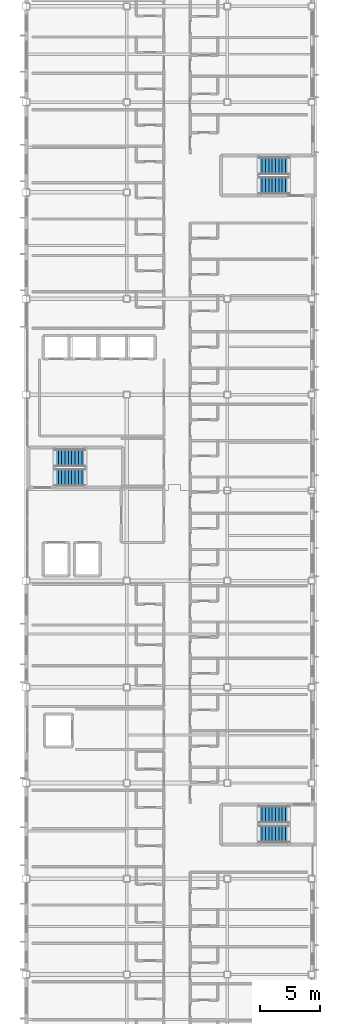
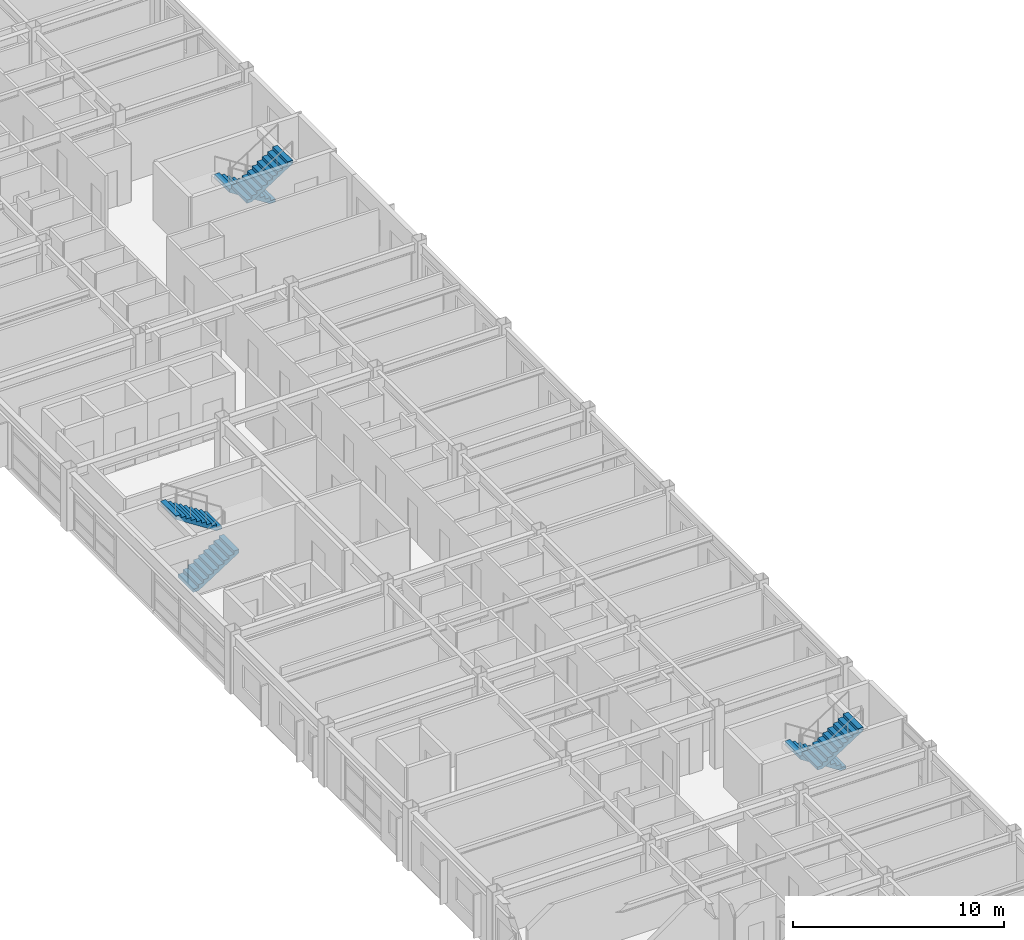
# One storey, part 34 of 38: 6 stair flights, 3 elements without a shape of their own.
"""IFC4 building model written with IfcOpenShell, lengths in metres."""

from ifc_helpers import new_model, si_unit, direction, frame, origin, place, context, subcontext, project, spatial, polyline, outline, extrude, material, type_object, element, aggregate, save


model = new_model("IFC4")

# Units and contexts
model_context = context("Model", 3, precision=1e-05, world=origin(), true_north=direction((0.0, 1.0)))
body_context = subcontext(model_context, "Body", "Model", "MODEL_VIEW")
ifc_project = project(units=[si_unit("LENGTHUNIT", "METRE"), si_unit("AREAUNIT", "SQUARE_METRE"), si_unit("VOLUMEUNIT", "CUBIC_METRE"), si_unit("PLANEANGLEUNIT", "RADIAN"), si_unit("MASSUNIT", "GRAM", prefix="KILO")], contexts=[model_context])

# Site, building, storey
site_placement = place(None, origin())
site = spatial("IfcSite", under=ifc_project, at=site_placement, CompositionType="ELEMENT")
building_placement = place(site_placement, origin())
building = spatial("IfcBuilding", under=site, at=building_placement, Name="Kazehara Bluff Congress Hotel", CompositionType="ELEMENT")
storey_placement = place(building_placement, frame((0.0, 0.0, 24.60009765625)))
storey = spatial("IfcBuildingStorey", under=building, at=storey_placement, Name="L05", CompositionType="ELEMENT", Elevation=24.60009765625)

# Stair, stair flights
ifc_material_1 = material(Name="Concrete C36/45", Category="concrete")
stair_type = type_object("IfcStairType", Name="TP-ST-T03", PredefinedType="HALF_TURN_STAIR", material=ifc_material_1)
stair_1_placement = place(storey_placement, origin())
stair_1 = element("IfcStair", 1, at=stair_1_placement, inside=storey, type_object=stair_type, Name="L05 Escape stair ST-10", PredefinedType="HALF_TURN_STAIR")
ifc_material_2 = material(Name="Concrete C36/45", Category="concrete")
stair_flight_type = type_object("IfcStairFlightType", Name="TP-SF-T03", PredefinedType="STRAIGHT", material=ifc_material_2)
stair_flight_1_placement = place(storey_placement, frame((165.64990234375, 21.375, 0.0), z_axis=(0.0, 0.0, 1.0), x_axis=(-1.0, 0.0, 0.0)))
stair_flight_1 = element("IfcStairFlight", 2, at=stair_flight_1_placement, type_object=stair_flight_type, Name="ST-10 flight 1", NumberOfRisers=10, NumberOfTreads=9, PredefinedType="STRAIGHT", RiserHeight=0.18, TreadLength=0.28, context=body_context, shape_type="SweptSolid", body=[
    extrude(outline(polyline([(0.0, 0.0), (0.0, 0.179931640625), (0.280029296875, 0.179931640625), (0.280029296875, 0.360107421875), (0.56005859375, 0.360107421875), (0.56005859375, 0.5400390625), (0.840087890625, 0.5400390625), (0.840087890625, 0.719970703125), (1.1201171875, 0.719970703125), (1.1201171875, 0.89990234375), (1.39990234375, 0.89990234375), (1.39990234375, 1.080078125), (1.679931640625, 1.080078125), (1.679931640625, 1.260009765625), (1.9599609375, 1.260009765625), (1.9599609375, 1.43994140625), (2.239990234375, 1.43994140625), (2.239990234375, 1.6201171875), (2.52001953125, 1.6201171875), (2.52001953125, 1.800048828125), (2.52001953125, 1.429931640625), (0.295654296875, 0.0), (0.0, 0.0)])), frame((0.0, 0.72509765625, 0.0), z_axis=(0.0, -1.0, 0.0), x_axis=(1.0, 0.0, 0.0)), (0.0, 0.0, 1.0), 1.449951171875),
])
stair_flight_2_placement = place(storey_placement, frame((163.1298828125, 19.72509765625, 1.7998046875), z_axis=(0.0, 0.0, 1.0), x_axis=(1.0, 0.0, 0.0)))
stair_flight_2 = element("IfcStairFlight", 3, at=stair_flight_2_placement, type_object=stair_flight_type, Name="ST-10 flight 2", NumberOfRisers=10, NumberOfTreads=9, PredefinedType="STRAIGHT", RiserHeight=0.18, TreadLength=0.28, context=body_context, shape_type="SweptSolid", body=[
    extrude(outline(polyline([(0.0, 0.0), (0.0, 0.179931640625), (0.280029296875, 0.179931640625), (0.280029296875, 0.360107421875), (0.56005859375, 0.360107421875), (0.56005859375, 0.5400390625), (0.840087890625, 0.5400390625), (0.840087890625, 0.719970703125), (1.1201171875, 0.719970703125), (1.1201171875, 0.89990234375), (1.39990234375, 0.89990234375), (1.39990234375, 1.080078125), (1.679931640625, 1.080078125), (1.679931640625, 1.260009765625), (1.9599609375, 1.260009765625), (1.9599609375, 1.43994140625), (2.239990234375, 1.43994140625), (2.239990234375, 1.6201171875), (2.52001953125, 1.6201171875), (2.52001953125, 1.800048828125), (2.52001953125, 1.429931640625), (0.295654296875, 0.0), (0.0, 0.0)])), frame((0.0, 0.72509765625, 0.0), z_axis=(0.0, -1.0, 0.0), x_axis=(1.0, 0.0, 0.0)), (0.0, 0.0, 1.0), 1.449951171875),
])
aggregate(stair_1, [stair_flight_1, stair_flight_2])

stair_2_placement = place(storey_placement, origin())
stair_2 = element("IfcStair", 4, at=stair_2_placement, inside=storey, type_object=stair_type, Name="L05 Escape stair ST-11", PredefinedType="HALF_TURN_STAIR")
stair_flight_3_placement = place(storey_placement, frame((146.10009765625, 49.52490234375, 0.0), z_axis=(0.0, 0.0, 1.0), x_axis=(1.0, 0.0, 0.0)))
stair_flight_3 = element("IfcStairFlight", 5, at=stair_flight_3_placement, type_object=stair_flight_type, Name="ST-11 flight 1", NumberOfRisers=10, NumberOfTreads=9, PredefinedType="STRAIGHT", RiserHeight=0.18, TreadLength=0.28, context=body_context, shape_type="SweptSolid", body=[
    extrude(outline(polyline([(0.0, 0.0), (0.0, 0.179931640625), (0.280029296875, 0.179931640625), (0.280029296875, 0.360107421875), (0.56005859375, 0.360107421875), (0.56005859375, 0.5400390625), (0.840087890625, 0.5400390625), (0.840087890625, 0.719970703125), (1.1201171875, 0.719970703125), (1.1201171875, 0.89990234375), (1.39990234375, 0.89990234375), (1.39990234375, 1.080078125), (1.679931640625, 1.080078125), (1.679931640625, 1.260009765625), (1.9599609375, 1.260009765625), (1.9599609375, 1.43994140625), (2.239990234375, 1.43994140625), (2.239990234375, 1.6201171875), (2.52001953125, 1.6201171875), (2.52001953125, 1.800048828125), (2.52001953125, 1.429931640625), (0.295654296875, 0.0), (0.0, 0.0)])), frame((0.0, 0.72509765625, 0.0), z_axis=(0.0, -1.0, 0.0), x_axis=(1.0, 0.0, 0.0)), (0.0, 0.0, 1.0), 1.449951171875),
])
stair_flight_4_placement = place(storey_placement, frame((148.6201171875, 51.175048828125, 1.7998046875), z_axis=(0.0, 0.0, 1.0), x_axis=(-1.0, 0.0, 0.0)))
stair_flight_4 = element("IfcStairFlight", 6, at=stair_flight_4_placement, type_object=stair_flight_type, Name="ST-11 flight 2", NumberOfRisers=10, NumberOfTreads=9, PredefinedType="STRAIGHT", RiserHeight=0.18, TreadLength=0.28, context=body_context, shape_type="SweptSolid", body=[
    extrude(outline(polyline([(0.0, 0.0), (0.0, 0.179931640625), (0.280029296875, 0.179931640625), (0.280029296875, 0.360107421875), (0.56005859375, 0.360107421875), (0.56005859375, 0.5400390625), (0.840087890625, 0.5400390625), (0.840087890625, 0.719970703125), (1.1201171875, 0.719970703125), (1.1201171875, 0.89990234375), (1.39990234375, 0.89990234375), (1.39990234375, 1.080078125), (1.679931640625, 1.080078125), (1.679931640625, 1.260009765625), (1.9599609375, 1.260009765625), (1.9599609375, 1.43994140625), (2.239990234375, 1.43994140625), (2.239990234375, 1.6201171875), (2.52001953125, 1.6201171875), (2.52001953125, 1.800048828125), (2.52001953125, 1.429931640625), (0.295654296875, 0.0), (0.0, 0.0)])), frame((0.0, 0.72509765625, 0.0), z_axis=(0.0, -1.0, 0.0), x_axis=(1.0, 0.0, 0.0)), (0.0, 0.0, 1.0), 1.449951171875),
])
aggregate(stair_2, [stair_flight_3, stair_flight_4])

stair_3_placement = place(storey_placement, origin())
stair_3 = element("IfcStair", 7, at=stair_3_placement, inside=storey, type_object=stair_type, Name="L05 Escape stair ST-12", PredefinedType="HALF_TURN_STAIR")
stair_flight_5_placement = place(storey_placement, frame((165.64990234375, 75.574951171875, 0.0), z_axis=(0.0, 0.0, 1.0), x_axis=(-1.0, 0.0, 0.0)))
stair_flight_5 = element("IfcStairFlight", 8, at=stair_flight_5_placement, type_object=stair_flight_type, Name="ST-12 flight 1", NumberOfRisers=10, NumberOfTreads=9, PredefinedType="STRAIGHT", RiserHeight=0.18, TreadLength=0.28, context=body_context, shape_type="SweptSolid", body=[
    extrude(outline(polyline([(0.0, 0.0), (0.0, 0.179931640625), (0.280029296875, 0.179931640625), (0.280029296875, 0.360107421875), (0.56005859375, 0.360107421875), (0.56005859375, 0.5400390625), (0.840087890625, 0.5400390625), (0.840087890625, 0.719970703125), (1.1201171875, 0.719970703125), (1.1201171875, 0.89990234375), (1.39990234375, 0.89990234375), (1.39990234375, 1.080078125), (1.679931640625, 1.080078125), (1.679931640625, 1.260009765625), (1.9599609375, 1.260009765625), (1.9599609375, 1.43994140625), (2.239990234375, 1.43994140625), (2.239990234375, 1.6201171875), (2.52001953125, 1.6201171875), (2.52001953125, 1.800048828125), (2.52001953125, 1.429931640625), (0.295654296875, 0.0), (0.0, 0.0)])), frame((0.0, 0.72509765625, 0.0), z_axis=(0.0, -1.0, 0.0), x_axis=(1.0, 0.0, 0.0)), (0.0, 0.0, 1.0), 1.449951171875),
])
stair_flight_6_placement = place(storey_placement, frame((163.1298828125, 73.925048828125, 1.7998046875), z_axis=(0.0, 0.0, 1.0), x_axis=(1.0, 0.0, 0.0)))
stair_flight_6 = element("IfcStairFlight", 9, at=stair_flight_6_placement, type_object=stair_flight_type, Name="ST-12 flight 2", NumberOfRisers=10, NumberOfTreads=9, PredefinedType="STRAIGHT", RiserHeight=0.18, TreadLength=0.28, context=body_context, shape_type="SweptSolid", body=[
    extrude(outline(polyline([(0.0, 0.0), (0.0, 0.179931640625), (0.280029296875, 0.179931640625), (0.280029296875, 0.360107421875), (0.56005859375, 0.360107421875), (0.56005859375, 0.5400390625), (0.840087890625, 0.5400390625), (0.840087890625, 0.719970703125), (1.1201171875, 0.719970703125), (1.1201171875, 0.89990234375), (1.39990234375, 0.89990234375), (1.39990234375, 1.080078125), (1.679931640625, 1.080078125), (1.679931640625, 1.260009765625), (1.9599609375, 1.260009765625), (1.9599609375, 1.43994140625), (2.239990234375, 1.43994140625), (2.239990234375, 1.6201171875), (2.52001953125, 1.6201171875), (2.52001953125, 1.800048828125), (2.52001953125, 1.429931640625), (0.295654296875, 0.0), (0.0, 0.0)])), frame((0.0, 0.72509765625, 0.0), z_axis=(0.0, -1.0, 0.0), x_axis=(1.0, 0.0, 0.0)), (0.0, 0.0, 1.0), 1.449951171875),
])
aggregate(stair_3, [stair_flight_5, stair_flight_6])

save(model, "model.ifc")
